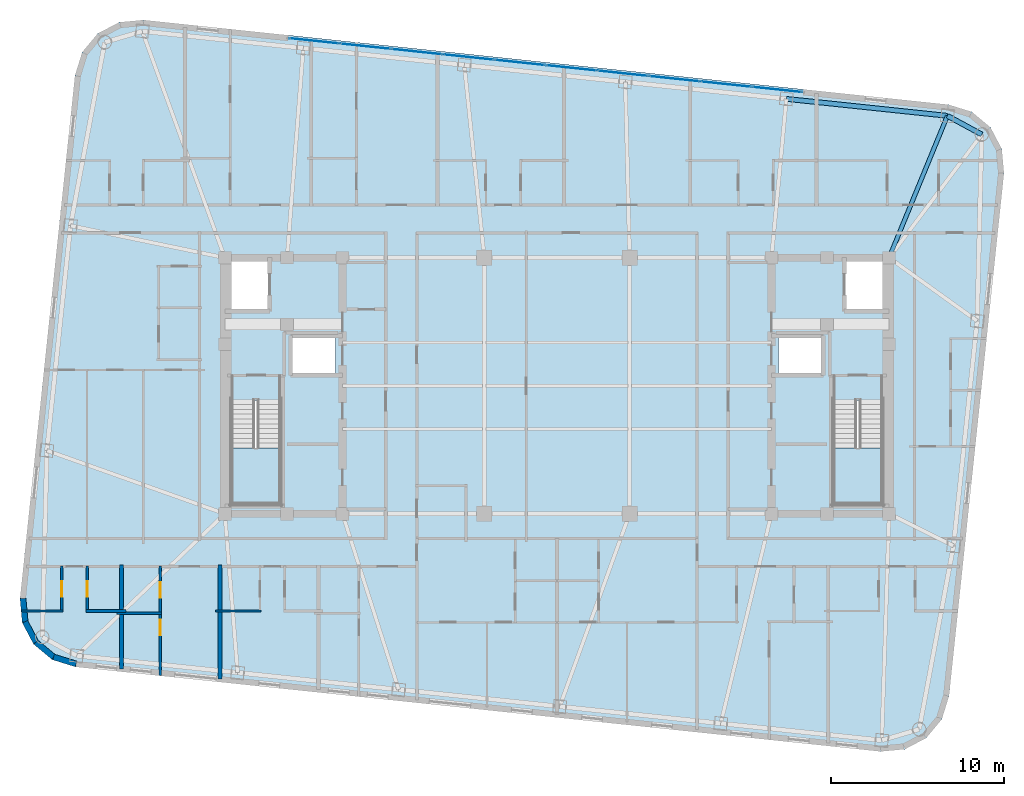
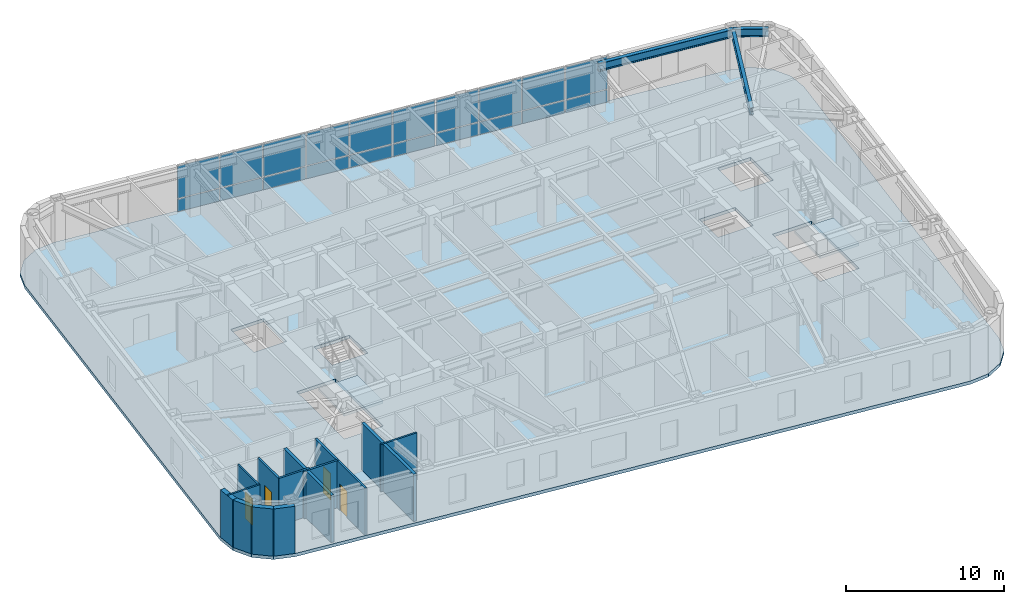
# One storey, part 7 of 15: 20 plates, 14 walls, 4 doors, 3 beams, 3 slabs, 4 openings, 3 elements without a shape of their own.
"""IFC4 building model written with IfcOpenShell, lengths in metres."""

from ifc_helpers import new_model, si_unit, direction, frame, frame_2d, origin, origin_2d, place, context, subcontext, project, spatial, polyline, rectangle, i_section, outline, extrude, material, layer, layer_set, material_profile, profile_set, type_object, element, fill, aggregate, save


model = new_model("IFC4")

# Units and contexts
model_context = context("Model", 3, precision=1e-05, world=origin(), true_north=direction((0.0, 1.0)))
body_context = subcontext(model_context, "Body", "Model", "MODEL_VIEW")
ifc_project = project(units=[si_unit("LENGTHUNIT", "METRE"), si_unit("AREAUNIT", "SQUARE_METRE"), si_unit("VOLUMEUNIT", "CUBIC_METRE"), si_unit("PLANEANGLEUNIT", "RADIAN"), si_unit("MASSUNIT", "GRAM", prefix="KILO")], contexts=[model_context])

# Site, building, storey
site_placement = place(None, origin())
site = spatial("IfcSite", under=ifc_project, at=site_placement, CompositionType="ELEMENT")
building_placement = place(site_placement, origin())
building = spatial("IfcBuilding", under=site, at=building_placement, Name="Voryun Gate Residences", CompositionType="ELEMENT")
storey_placement = place(building_placement, frame((0.0, 0.0, 263.89990234375)))
storey = spatial("IfcBuildingStorey", under=building, at=storey_placement, Name="L65", CompositionType="ELEMENT", Elevation=263.89990234375)

# Beams
ifc_material_1 = material(Name="Steel SM355", Category="steel")
ifc_material_profile_1 = material_profile(ifc_material_1, i_section(OverallWidth=0.280029296875, OverallDepth=0.6201171875, WebThickness=0.013916015625, FlangeThickness=0.02197265625, FilletRadius=0.01806640625, at=origin_2d()), Name="H-620x280x14x22")
ifc_profile_set_1 = profile_set([ifc_material_profile_1], Name="Steel SM355")
beam_type_1 = type_object("IfcBeamType", Name="BM_EXO_SPANDREL_H", PredefinedType="SPANDREL", material=ifc_profile_set_1)
beam_1_placement = place(storey_placement, frame((24.55322265625, 14.52734375, 3.340087890625), z_axis=(-0.878844363117, 0.477108567746, 0.0), x_axis=(-0.477108567746, -0.878844363117, 0.0)))
element("IfcBeam", 1, at=beam_1_placement, inside=storey, type_object=beam_type_1, Name="BM-L65-SPAND-10", PredefinedType="SPANDREL", context=body_context, shape_type="SweptSolid", body=[
    extrude(i_section(OverallWidth=0.280029296875, OverallDepth=0.6201171875, WebThickness=0.013916015625, FlangeThickness=0.02197265625, FilletRadius=0.01806640625, at=origin_2d()), origin(), (0.0, 0.0, 1.0), 2.257568359375),
])
beam_2_placement = place(storey_placement, frame((22.569091796875, 15.6044921875, 3.340087890625), z_axis=(-0.994520592114, 0.104540862157, 0.0), x_axis=(-0.104540862157, -0.994520592114, 0.0)))
element("IfcBeam", 2, at=beam_2_placement, inside=storey, type_object=beam_type_1, Name="BM-L65-SPAND-11", PredefinedType="SPANDREL", context=body_context, shape_type="SweptSolid", body=[
    extrude(i_section(OverallWidth=0.280029296875, OverallDepth=0.6201171875, WebThickness=0.013916015625, FlangeThickness=0.02197265625, FilletRadius=0.01806640625, at=origin_2d()), origin(), (0.0, 0.0, 1.0), 9.360107421875),
])
ifc_material_2 = material(Name="Steel SM355", Category="steel")
ifc_material_profile_2 = material_profile(ifc_material_2, i_section(OverallWidth=0.239990234375, OverallDepth=0.550048828125, WebThickness=0.011962890625, FlangeThickness=0.02001953125, FilletRadius=0.01806640625, at=origin_2d()), Name="H-550x240x12x20")
ifc_profile_set_2 = profile_set([ifc_material_profile_2], Name="Steel SM355")
beam_type_2 = type_object("IfcBeamType", Name="BM_GIRD_550", PredefinedType="USERDEFINED", material=ifc_profile_set_2)
beam_3_placement = place(storey_placement, frame((19.199951171875, 7.39990234375, 3.375), z_axis=(0.379860811741, 0.925043655026, 0.0), x_axis=(-0.925043655026, 0.379860811741, 0.0)))
element("IfcBeam", 3, at=beam_3_placement, inside=storey, type_object=beam_type_2, Name="BM-L65-RAD-N1", ObjectType="GIRDER", PredefinedType="USERDEFINED", context=body_context, shape_type="SweptSolid", body=[
    extrude(i_section(OverallWidth=0.239990234375, OverallDepth=0.550048828125, WebThickness=0.011962890625, FlangeThickness=0.02001953125, FilletRadius=0.01806640625, at=origin_2d()), origin(), (0.0, 0.0, 1.0), 8.869384765625),
])

# Curtain wall, plates
ifc_material_3 = material(Name="Anodised aluminium", Category="aluminium")
ifc_layer_1 = layer(ifc_material_3, 0.2099609375, Name="CW_SYS_SKYGARDEN_DARK_GLASS")
ifc_layer_set_1 = layer_set([ifc_layer_1], Name="Anodised aluminium")
curtain_wall_type = type_object("IfcCurtainWallType", Name="CW_SYS_SKYGARDEN_DARK_GLASS", PredefinedType="NOTDEFINED", material=ifc_layer_set_1)
curtain_wall_placement = place(storey_placement, origin())
curtain_wall = element("IfcCurtainWall", 4, at=curtain_wall_placement, inside=storey, type_object=curtain_wall_type, Name="Curtain wall CW5-L65-SG-11", PredefinedType="NOTDEFINED")
ifc_material_4 = material(Name="Laminated low-E glass", Category="glass")
ifc_layer_2 = layer(ifc_material_4, 0.0458984375, Name="PLT_GLASS_DARK_SKY")
ifc_layer_set_2 = layer_set([ifc_layer_2], Name="Laminated low-E glass")
plate_type = type_object("IfcPlateType", Name="PLT_GLASS_DARK_SKY", PredefinedType="CURTAIN_PANEL", material=ifc_layer_set_2)
plate_1_placement = place(storey_placement, frame((-14.03271484375, 19.934326171875, 0.06005859375), z_axis=(0.0, 0.0, 1.0), x_axis=(0.994521496699, -0.104532256285, 0.0)))
plate_1 = element("IfcPlate", 5, at=plate_1_placement, type_object=plate_type, Name="CW5 panel 1.1", PredefinedType="CURTAIN_PANEL", context=body_context, shape_type="SweptSolid", body=[
    extrude(rectangle(XDim=2.903076171875, YDim=0.028076171875, at=origin_2d()), origin(), (0.0, 0.0, 1.0), 0.9599609375),
])
plate_2_placement = place(storey_placement, frame((-14.03271484375, 19.934326171875, 1.080078125), z_axis=(0.0, 0.0, 1.0), x_axis=(0.994521496699, -0.104532256285, 0.0)))
plate_2 = element("IfcPlate", 6, at=plate_2_placement, type_object=plate_type, Name="CW5 panel 1.2", PredefinedType="CURTAIN_PANEL", context=body_context, shape_type="SweptSolid", body=[
    extrude(rectangle(XDim=2.903076171875, YDim=0.028076171875, at=origin_2d()), origin(), (0.0, 0.0, 1.0), 2.510009765625),
])
plate_3_placement = place(storey_placement, frame((-11.071044921875, 19.623046875, 0.06005859375), z_axis=(0.0, 0.0, 1.0), x_axis=(0.994521496699, -0.104532256285, 0.0)))
plate_3 = element("IfcPlate", 7, at=plate_3_placement, type_object=plate_type, Name="CW5 panel 2.1", PredefinedType="CURTAIN_PANEL", context=body_context, shape_type="SweptSolid", body=[
    extrude(rectangle(XDim=2.93310546875, YDim=0.028076171875, at=origin_2d()), origin(), (0.0, 0.0, 1.0), 0.9599609375),
])
plate_4_placement = place(storey_placement, frame((-11.071044921875, 19.623046875, 1.080078125), z_axis=(0.0, 0.0, 1.0), x_axis=(0.994521496699, -0.104532256285, 0.0)))
plate_4 = element("IfcPlate", 8, at=plate_4_placement, type_object=plate_type, Name="CW5 panel 2.2", PredefinedType="CURTAIN_PANEL", context=body_context, shape_type="SweptSolid", body=[
    extrude(rectangle(XDim=2.93310546875, YDim=0.028076171875, at=origin_2d()), origin(), (0.0, 0.0, 1.0), 2.510009765625),
])
plate_5_placement = place(storey_placement, frame((-8.09423828125, 19.31005859375, 0.06005859375), z_axis=(0.0, 0.0, 1.0), x_axis=(0.994521496699, -0.104532256285, 0.0)))
plate_5 = element("IfcPlate", 9, at=plate_5_placement, type_object=plate_type, Name="CW5 panel 3.1", PredefinedType="CURTAIN_PANEL", context=body_context, shape_type="SweptSolid", body=[
    extrude(rectangle(XDim=2.93310546875, YDim=0.028076171875, at=origin_2d()), origin(), (0.0, 0.0, 1.0), 0.9599609375),
])
plate_6_placement = place(storey_placement, frame((-8.09423828125, 19.31005859375, 1.080078125), z_axis=(0.0, 0.0, 1.0), x_axis=(0.994521496699, -0.104532256285, 0.0)))
plate_6 = element("IfcPlate", 10, at=plate_6_placement, type_object=plate_type, Name="CW5 panel 3.2", PredefinedType="CURTAIN_PANEL", context=body_context, shape_type="SweptSolid", body=[
    extrude(rectangle(XDim=2.93310546875, YDim=0.028076171875, at=origin_2d()), origin(), (0.0, 0.0, 1.0), 2.510009765625),
])
plate_7_placement = place(storey_placement, frame((-5.11767578125, 18.997314453125, 0.06005859375), z_axis=(0.0, 0.0, 1.0), x_axis=(0.994521496699, -0.104532256285, 0.0)))
plate_7 = element("IfcPlate", 11, at=plate_7_placement, type_object=plate_type, Name="CW5 panel 4.1", PredefinedType="CURTAIN_PANEL", context=body_context, shape_type="SweptSolid", body=[
    extrude(rectangle(XDim=2.93310546875, YDim=0.028076171875, at=origin_2d()), origin(), (0.0, 0.0, 1.0), 0.9599609375),
])
plate_8_placement = place(storey_placement, frame((-5.11767578125, 18.997314453125, 1.080078125), z_axis=(0.0, 0.0, 1.0), x_axis=(0.994521496699, -0.104532256285, 0.0)))
plate_8 = element("IfcPlate", 12, at=plate_8_placement, type_object=plate_type, Name="CW5 panel 4.2", PredefinedType="CURTAIN_PANEL", context=body_context, shape_type="SweptSolid", body=[
    extrude(rectangle(XDim=2.93310546875, YDim=0.028076171875, at=origin_2d()), origin(), (0.0, 0.0, 1.0), 2.510009765625),
])
plate_9_placement = place(storey_placement, frame((-2.140869140625, 18.684326171875, 0.06005859375), z_axis=(0.0, 0.0, 1.0), x_axis=(0.994521496699, -0.104532256285, 0.0)))
plate_9 = element("IfcPlate", 13, at=plate_9_placement, type_object=plate_type, Name="CW5 panel 5.1", PredefinedType="CURTAIN_PANEL", context=body_context, shape_type="SweptSolid", body=[
    extrude(rectangle(XDim=2.93310546875, YDim=0.028076171875, at=origin_2d()), origin(), (0.0, 0.0, 1.0), 0.9599609375),
])
plate_10_placement = place(storey_placement, frame((-2.140869140625, 18.684326171875, 1.080078125), z_axis=(0.0, 0.0, 1.0), x_axis=(0.994521496699, -0.104532256285, 0.0)))
plate_10 = element("IfcPlate", 14, at=plate_10_placement, type_object=plate_type, Name="CW5 panel 5.2", PredefinedType="CURTAIN_PANEL", context=body_context, shape_type="SweptSolid", body=[
    extrude(rectangle(XDim=2.93310546875, YDim=0.028076171875, at=origin_2d()), origin(), (0.0, 0.0, 1.0), 2.510009765625),
])
plate_11_placement = place(storey_placement, frame((0.835693359375, 18.37158203125, 0.06005859375), z_axis=(0.0, 0.0, 1.0), x_axis=(0.994521496699, -0.104532256285, 0.0)))
plate_11 = element("IfcPlate", 15, at=plate_11_placement, type_object=plate_type, Name="CW5 panel 6.1", PredefinedType="CURTAIN_PANEL", context=body_context, shape_type="SweptSolid", body=[
    extrude(rectangle(XDim=2.93310546875, YDim=0.028076171875, at=origin_2d()), origin(), (0.0, 0.0, 1.0), 0.9599609375),
])
plate_12_placement = place(storey_placement, frame((0.835693359375, 18.37158203125, 1.080078125), z_axis=(0.0, 0.0, 1.0), x_axis=(0.994521496699, -0.104532256285, 0.0)))
plate_12 = element("IfcPlate", 16, at=plate_12_placement, type_object=plate_type, Name="CW5 panel 6.2", PredefinedType="CURTAIN_PANEL", context=body_context, shape_type="SweptSolid", body=[
    extrude(rectangle(XDim=2.93310546875, YDim=0.028076171875, at=origin_2d()), origin(), (0.0, 0.0, 1.0), 2.510009765625),
])
plate_13_placement = place(storey_placement, frame((3.812255859375, 18.05859375, 0.06005859375), z_axis=(0.0, 0.0, 1.0), x_axis=(0.994521496699, -0.104532256285, 0.0)))
plate_13 = element("IfcPlate", 17, at=plate_13_placement, type_object=plate_type, Name="CW5 panel 7.1", PredefinedType="CURTAIN_PANEL", context=body_context, shape_type="SweptSolid", body=[
    extrude(rectangle(XDim=2.93310546875, YDim=0.028076171875, at=origin_2d()), origin(), (0.0, 0.0, 1.0), 0.9599609375),
])
plate_14_placement = place(storey_placement, frame((3.812255859375, 18.05859375, 1.080078125), z_axis=(0.0, 0.0, 1.0), x_axis=(0.994521496699, -0.104532256285, 0.0)))
plate_14 = element("IfcPlate", 18, at=plate_14_placement, type_object=plate_type, Name="CW5 panel 7.2", PredefinedType="CURTAIN_PANEL", context=body_context, shape_type="SweptSolid", body=[
    extrude(rectangle(XDim=2.93310546875, YDim=0.028076171875, at=origin_2d()), origin(), (0.0, 0.0, 1.0), 2.510009765625),
])
plate_15_placement = place(storey_placement, frame((6.7890625, 17.745849609375, 0.06005859375), z_axis=(0.0, 0.0, 1.0), x_axis=(0.994521496699, -0.104532256285, 0.0)))
plate_15 = element("IfcPlate", 19, at=plate_15_placement, type_object=plate_type, Name="CW5 panel 8.1", PredefinedType="CURTAIN_PANEL", context=body_context, shape_type="SweptSolid", body=[
    extrude(rectangle(XDim=2.93310546875, YDim=0.028076171875, at=origin_2d()), origin(), (0.0, 0.0, 1.0), 0.9599609375),
])
plate_16_placement = place(storey_placement, frame((6.7890625, 17.745849609375, 1.080078125), z_axis=(0.0, 0.0, 1.0), x_axis=(0.994521496699, -0.104532256285, 0.0)))
plate_16 = element("IfcPlate", 20, at=plate_16_placement, type_object=plate_type, Name="CW5 panel 8.2", PredefinedType="CURTAIN_PANEL", context=body_context, shape_type="SweptSolid", body=[
    extrude(rectangle(XDim=2.93310546875, YDim=0.028076171875, at=origin_2d()), origin(), (0.0, 0.0, 1.0), 2.510009765625),
])
plate_17_placement = place(storey_placement, frame((9.765625, 17.432861328125, 0.06005859375), z_axis=(0.0, 0.0, 1.0), x_axis=(0.994521496699, -0.104532256285, 0.0)))
plate_17 = element("IfcPlate", 21, at=plate_17_placement, type_object=plate_type, Name="CW5 panel 9.1", PredefinedType="CURTAIN_PANEL", context=body_context, shape_type="SweptSolid", body=[
    extrude(rectangle(XDim=2.93310546875, YDim=0.028076171875, at=origin_2d()), origin(), (0.0, 0.0, 1.0), 0.9599609375),
])
plate_18_placement = place(storey_placement, frame((9.765625, 17.432861328125, 1.080078125), z_axis=(0.0, 0.0, 1.0), x_axis=(0.994521496699, -0.104532256285, 0.0)))
plate_18 = element("IfcPlate", 22, at=plate_18_placement, type_object=plate_type, Name="CW5 panel 9.2", PredefinedType="CURTAIN_PANEL", context=body_context, shape_type="SweptSolid", body=[
    extrude(rectangle(XDim=2.93310546875, YDim=0.028076171875, at=origin_2d()), origin(), (0.0, 0.0, 1.0), 2.510009765625),
])
plate_19_placement = place(storey_placement, frame((12.727294921875, 17.12158203125, 0.06005859375), z_axis=(0.0, 0.0, 1.0), x_axis=(0.994521496699, -0.104532256285, 0.0)))
plate_19 = element("IfcPlate", 23, at=plate_19_placement, type_object=plate_type, Name="CW5 panel 10.1", PredefinedType="CURTAIN_PANEL", context=body_context, shape_type="SweptSolid", body=[
    extrude(rectangle(XDim=2.903076171875, YDim=0.028076171875, at=origin_2d()), origin(), (0.0, 0.0, 1.0), 0.9599609375),
])
plate_20_placement = place(storey_placement, frame((12.727294921875, 17.12158203125, 1.080078125), z_axis=(0.0, 0.0, 1.0), x_axis=(0.994521496699, -0.104532256285, 0.0)))
plate_20 = element("IfcPlate", 24, at=plate_20_placement, type_object=plate_type, Name="CW5 panel 10.2", PredefinedType="CURTAIN_PANEL", context=body_context, shape_type="SweptSolid", body=[
    extrude(rectangle(XDim=2.903076171875, YDim=0.028076171875, at=origin_2d()), origin(), (0.0, 0.0, 1.0), 2.510009765625),
])
aggregate(curtain_wall, [plate_1, plate_2, plate_3, plate_4, plate_5, plate_6, plate_7, plate_8, plate_9, plate_10, plate_11, plate_12, plate_13, plate_14, plate_15, plate_16, plate_17, plate_18, plate_19, plate_20])

# Slab
ifc_material_5 = material(Name="Concrete C40/50", Category="concrete")
ifc_layer_3 = layer(ifc_material_5, 0.25, Name="SLB_RES_250")
ifc_layer_set_3 = layer_set([ifc_layer_3], Name="Concrete C40/50")
slab_type_1 = type_object("IfcSlabType", Name="SLB_RES_250", PredefinedType="FLOOR", material=ifc_layer_set_3)
slab_1_placement = place(storey_placement, frame((0.0, 0.0, -0.25)))
element("IfcSlab", 25, at=slab_1_placement, inside=storey, type_object=slab_type_1, Name="L65 Structural Floor Slab", PredefinedType="FLOOR", context=body_context, shape_type="SweptSolid", body=[
    extrude(outline(polyline([(-27.8369140625, -16.2509765625), (-29.178466796875, -15.83447265625), (-30.25830078125, -14.936279296875), (-30.912353515625, -13.693115234375), (-31.041015625, -12.29443359375), (-27.86328125, 17.93896484375), (-27.44677734375, 19.280517578125), (-26.548583984375, 20.3603515625), (-25.305419921875, 21.014404296875), (-23.90673828125, 21.14306640625), (22.636962890625, 16.2509765625), (23.978515625, 15.83447265625), (25.058349609375, 14.936279296875), (25.71240234375, 13.693115234375), (25.8408203125, 12.29443359375), (22.663330078125, -17.93896484375), (22.246826171875, -19.280517578125), (21.3486328125, -20.3603515625), (20.10546875, -21.014404296875), (18.706787109375, -21.14306640625), (-27.8369140625, -16.2509765625)]), holes=[polyline([(-15.97509765625, -0.840087890625), (-18.824951171875, -0.840087890625), (-18.824951171875, -6.85009765625), (-15.97509765625, -6.85009765625), (-15.97509765625, -0.840087890625)]), polyline([(18.824951171875, -6.85009765625), (18.824951171875, -0.840087890625), (15.97509765625, -0.840087890625), (15.97509765625, -6.85009765625), (18.824951171875, -6.85009765625)]), polyline([(-12.800048828125, 2.89990234375), (-15.39990234375, 2.89990234375), (-15.39990234375, 0.60009765625), (-12.800048828125, 0.60009765625), (-12.800048828125, 2.89990234375)]), polyline([(12.800048828125, 2.89990234375), (12.800048828125, 0.60009765625), (15.39990234375, 0.60009765625), (15.39990234375, 2.89990234375), (12.800048828125, 2.89990234375)]), polyline([(-16.60009765625, 7.199951171875), (-19.0, 7.199951171875), (-19.0, 4.300048828125), (-16.60009765625, 4.300048828125), (-16.60009765625, 7.199951171875)]), polyline([(19.0, 7.199951171875), (16.60009765625, 7.199951171875), (16.60009765625, 4.300048828125), (19.0, 4.300048828125), (19.0, 7.199951171875)])]), origin(), (0.0, 0.0, 1.0), 0.25),
])

# Stair, slab
ifc_material_6 = material(Name="Concrete C40/50", Category="concrete")
stair_type = type_object("IfcStairType", Name="STR_CORE_DOGLEG_1350", PredefinedType="HALF_TURN_STAIR", material=ifc_material_6)
stair_1_placement = place(storey_placement, origin())
stair_1 = element("IfcStair", 26, at=stair_1_placement, inside=storey, type_object=stair_type, Name="L65 Special Escape Stair ST-W1", PredefinedType="HALF_TURN_STAIR")
ifc_material_7 = material(Name="Concrete C40/50", Category="concrete")
ifc_layer_4 = layer(ifc_material_7, 0.199951171875, Name="SLB_STAIR_LANDING_200")
ifc_layer_set_4 = layer_set([ifc_layer_4], Name="Concrete C40/50")
slab_type_2 = type_object("IfcSlabType", Name="SLB_STAIR_LANDING_200", PredefinedType="LANDING", material=ifc_layer_set_4)
slab_2_placement = place(storey_placement, frame((0.0, 0.0, 1.75)))
slab_2 = element("IfcSlab", 27, at=slab_2_placement, type_object=slab_type_2, Name="ST-W1 landing 1", PredefinedType="LANDING", context=body_context, shape_type="SweptSolid", body=[
    extrude(outline(polyline([(-18.824951171875, -3.60009765625), (-18.824951171875, -6.85009765625), (-15.97509765625, -6.85009765625), (-15.97509765625, -3.60009765625), (-18.824951171875, -3.60009765625)])), origin(), (0.0, 0.0, 1.0), 0.2001953125),
])
aggregate(stair_1, [slab_2])

stair_2_placement = place(storey_placement, origin())
stair_2 = element("IfcStair", 28, at=stair_2_placement, inside=storey, type_object=stair_type, Name="L65 Special Escape Stair ST-E1", PredefinedType="HALF_TURN_STAIR")
slab_3_placement = place(storey_placement, frame((0.0, 0.0, 1.75)))
slab_3 = element("IfcSlab", 29, at=slab_3_placement, type_object=slab_type_2, Name="ST-E1 landing 1", PredefinedType="LANDING", context=body_context, shape_type="SweptSolid", body=[
    extrude(outline(polyline([(15.97509765625, -3.60009765625), (15.97509765625, -6.85009765625), (18.824951171875, -6.85009765625), (18.824951171875, -3.60009765625), (15.97509765625, -3.60009765625)])), origin(), (0.0, 0.0, 1.0), 0.2001953125),
])
aggregate(stair_2, [slab_3])

# Walls
ifc_material_8 = material(Name="Charcoal terracotta masonry", Category="masonry")
ifc_layer_5 = layer(ifc_material_8, 0.340087890625, Name="W_EXT_TERRACOTTA_340")
ifc_layer_set_5 = layer_set([ifc_layer_5], Name="Charcoal terracotta masonry")
wall_type_1 = type_object("IfcWallType", Name="W_EXT_TERRACOTTA_340", PredefinedType="ELEMENTEDWALL", material=ifc_layer_set_5)
wall_1_placement = place(storey_placement, frame((-27.802490234375, -16.083740234375, 0.0), z_axis=(0.0, 0.0, 1.0), x_axis=(-0.955007802701, 0.296580674994, 0.0)))
element("IfcWall", 30, at=wall_1_placement, inside=storey, type_object=wall_type_1, Name="Exterior wall WEXT-L65-02", PredefinedType="ELEMENTEDWALL", context=body_context, shape_type="SweptSolid", body=[
    extrude(rectangle(XDim=1.354248046875, YDim=0.340087890625, at=frame_2d((0.67724609375, 0.0))), origin(), (0.0, 0.0, 1.0), 3.650146484375),
])
wall_2_placement = place(storey_placement, frame((-29.095703125, -15.68212890625, 0.0), z_axis=(0.0, 0.0, 1.0), x_axis=(-0.768864427906, 0.639411832469, 0.0)))
element("IfcWall", 31, at=wall_2_placement, inside=storey, type_object=wall_type_1, Name="Exterior wall WEXT-L65-03", PredefinedType="ELEMENTEDWALL", context=body_context, shape_type="SweptSolid", body=[
    extrude(rectangle(XDim=1.337158203125, YDim=0.340087890625, at=frame_2d((0.66845703125, 0.0))), origin(), (0.0, 0.0, 1.0), 3.650146484375),
])
wall_3_placement = place(storey_placement, frame((-30.123779296875, -14.8271484375, 0.0), z_axis=(0.0, 0.0, 1.0), x_axis=(-0.465528132217, 0.885033083062, 0.0)))
element("IfcWall", 32, at=wall_3_placement, inside=storey, type_object=wall_type_1, Name="Exterior wall WEXT-L65-04", PredefinedType="ELEMENTEDWALL", context=body_context, shape_type="SweptSolid", body=[
    extrude(rectangle(XDim=1.3369140625, YDim=0.340087890625, at=frame_2d((0.66845703125, 0.0))), origin(), (0.0, 0.0, 1.0), 3.650146484375),
])
wall_4_placement = place(storey_placement, frame((-30.74609375, -13.64404296875, 0.0), z_axis=(0.0, 0.0, 1.0), x_axis=(-0.091592370975, 0.995796584438, 0.0)))
element("IfcWall", 33, at=wall_4_placement, inside=storey, type_object=wall_type_1, Name="Exterior wall WEXT-L65-05", PredefinedType="ELEMENTEDWALL", context=body_context, shape_type="SweptSolid", body=[
    extrude(rectangle(XDim=1.35400390625, YDim=0.340087890625, at=frame_2d((0.677001953125, 0.0))), origin(), (0.0, 0.0, 1.0), 3.650146484375),
])
ifc_material_9 = material(Name="Concrete C40/50", Category="concrete")
ifc_layer_6 = layer(ifc_material_9, 0.219970703125, Name="W_PARTY_ACOUSTIC_220")
ifc_layer_set_6 = layer_set([ifc_layer_6], Name="Concrete C40/50")
wall_type_2 = type_object("IfcWallType", Name="W_PARTY_ACOUSTIC_220", PredefinedType="PARTITIONING", material=ifc_layer_set_6)
wall_5_placement = place(storey_placement, frame((-25.177978515625, -16.359619140625, 0.0), z_axis=(0.0, 0.0, 1.0), x_axis=(0.0, 1.0, 0.0)))
element("IfcWall", 34, at=wall_5_placement, inside=storey, type_object=wall_type_2, Name="Partition wall WP-L65-SPTY-1", PredefinedType="PARTITIONING", context=body_context, shape_type="SweptSolid", body=[
    extrude(rectangle(XDim=5.989501953125, YDim=0.219970703125, at=frame_2d((2.99462890625, 0.0))), origin(), (0.0, 0.0, 1.0), 3.650146484375),
])
wall_6_placement = place(storey_placement, frame((-19.47802734375, -16.958740234375, 0.0), z_axis=(0.0, 0.0, 1.0), x_axis=(0.0, 1.0, 0.0)))
element("IfcWall", 35, at=wall_6_placement, inside=storey, type_object=wall_type_2, Name="Partition wall WP-L65-SPTY-2", PredefinedType="PARTITIONING", context=body_context, shape_type="SweptSolid", body=[
    extrude(rectangle(XDim=6.588623046875, YDim=0.219970703125, at=frame_2d((3.29443359375, 0.0))), origin(), (0.0, 0.0, 1.0), 3.650146484375),
])

# Wall, opening, door
ifc_material_10 = material(Name="Gypsum acoustic partition")
ifc_layer_7 = layer(ifc_material_10, 0.125, Name="W_UNIT_PART_125")
ifc_layer_set_7 = layer_set([ifc_layer_7], Name="Gypsum acoustic partition")
wall_type_3 = type_object("IfcWallType", Name="W_UNIT_PART_125", PredefinedType="PARTITIONING", material=ifc_layer_set_7)
wall_7_placement = place(storey_placement, frame((-28.626953125, -13.080078125, 0.0), z_axis=(0.0, 0.0, 1.0), x_axis=(0.0, 1.0, 0.0)))
wall_7 = element("IfcWall", 36, at=wall_7_placement, inside=storey, type_object=wall_type_3, Name="Partition wall WP-L65-S1-CVK", PredefinedType="PARTITIONING", context=body_context, shape_type="SweptSolid", body=[
    extrude(rectangle(XDim=2.650146484375, YDim=0.125, at=frame_2d((1.3251953125, 0.0))), origin(), (0.0, 0.0, 1.0), 3.650146484375),
])
opening_1_placement = place(wall_7_placement, frame((0.875, 0.0, 0.0)))
opening_1 = element("IfcOpeningElement", 37, at=opening_1_placement, cuts=wall_7, Name="Opening D-INT-2", PredefinedType="OPENING", context=body_context, shape_type="SweptSolid", body=[
    extrude(rectangle(XDim=0.89990234375, YDim=2.050048828125, at=frame_2d((0.449951171875, 1.02490234375))), frame((0.0, 0.072509765625, 0.0), z_axis=(0.0, -1.0, 0.0), x_axis=(1.0, 0.0, 0.0)), (0.0, 0.0, 1.0), 0.14501953125),
])
ifc_material_11 = material(Name="Architectural oak veneer")
door_type = type_object("IfcDoorType", Name="DR_INT_BATH_900", OperationType="NOTDEFINED", PredefinedType="DOOR", material=ifc_material_11)
door_1_placement = place(opening_1_placement, origin())
door_1 = element("IfcDoor", 38, at=door_1_placement, inside=storey, type_object=door_type, Name="Door DR-L65-S1-DK", OperationType="SINGLE_SWING_LEFT", OverallHeight=2.050048828125, OverallWidth=0.89990234375, PredefinedType="DOOR", context=body_context, shape_type="SweptSolid", body=[
    extrude(rectangle(XDim=0.89990234375, YDim=2.050048828125, at=frame_2d((0.449951171875, 1.02490234375))), frame((0.0, 0.02490234375, 0.0), z_axis=(0.0, -1.0, 0.0), x_axis=(1.0, 0.0, 0.0)), (0.0, 0.0, 1.0), 0.050048828125),
])
fill(opening_1, door_1)

# Walls
wall_8_placement = place(storey_placement, frame((-30.9541015625, -13.02001953125, 0.0), z_axis=(0.0, 0.0, 1.0), x_axis=(1.0, 0.0, 0.0)))
element("IfcWall", 39, at=wall_8_placement, inside=storey, type_object=wall_type_3, Name="Partition wall WP-L65-S1-CHK", PredefinedType="PARTITIONING", context=body_context, shape_type="SweptSolid", body=[
    extrude(rectangle(XDim=2.38720703125, YDim=0.125, at=frame_2d((1.193603515625, 0.0))), origin(), (0.0, 0.0, 1.0), 3.650146484375),
])
wall_9_placement = place(storey_placement, frame((-19.738037109375, -13.02001953125, 0.0), z_axis=(0.0, 0.0, 1.0), x_axis=(1.0, 0.0, 0.0)))
element("IfcWall", 40, at=wall_9_placement, inside=storey, type_object=wall_type_3, Name="Partition wall WP-L65-S3-CHK", PredefinedType="PARTITIONING", context=body_context, shape_type="SweptSolid", body=[
    extrude(rectangle(XDim=2.630126953125, YDim=0.125, at=frame_2d((1.31494140625, 0.0))), origin(), (0.0, 0.0, 1.0), 3.650146484375),
])

# Wall, opening, door
ifc_material_12 = material(Name="Gypsum moisture-resistant partition")
ifc_layer_8 = layer(ifc_material_12, 0.14990234375, Name="W_WET_PLUMB_150")
ifc_layer_set_8 = layer_set([ifc_layer_8], Name="Gypsum moisture-resistant partition")
wall_type_4 = type_object("IfcWallType", Name="W_WET_PLUMB_150", PredefinedType="PLUMBINGWALL", material=ifc_layer_set_8)
wall_10_placement = place(storey_placement, frame((-27.155029296875, -13.080078125, 0.0), z_axis=(0.0, 0.0, 1.0), x_axis=(0.0, 1.0, 0.0)))
wall_10 = element("IfcWall", 41, at=wall_10_placement, inside=storey, type_object=wall_type_4, Name="Partition wall WP-L65-S1-CVB", PredefinedType="PLUMBINGWALL", context=body_context, shape_type="SweptSolid", body=[
    extrude(rectangle(XDim=2.650146484375, YDim=0.14990234375, at=frame_2d((1.3251953125, 0.0))), origin(), (0.0, 0.0, 1.0), 3.650146484375),
])
opening_2_placement = place(wall_10_placement, frame((0.875, 0.0, 0.0)))
opening_2 = element("IfcOpeningElement", 42, at=opening_2_placement, cuts=wall_10, Name="Opening D-INT-2", PredefinedType="OPENING", context=body_context, shape_type="SweptSolid", body=[
    extrude(rectangle(XDim=0.89990234375, YDim=2.050048828125, at=frame_2d((0.449951171875, 1.02490234375))), frame((0.0, 0.0849609375, 0.0), z_axis=(0.0, -1.0, 0.0), x_axis=(1.0, 0.0, 0.0)), (0.0, 0.0, 1.0), 0.169921875),
])
door_2_placement = place(opening_2_placement, origin())
door_2 = element("IfcDoor", 43, at=door_2_placement, inside=storey, type_object=door_type, Name="Door DR-L65-S1-DB", OperationType="SINGLE_SWING_RIGHT", OverallHeight=2.050048828125, OverallWidth=0.89990234375, PredefinedType="DOOR", context=body_context, shape_type="SweptSolid", body=[
    extrude(rectangle(XDim=0.89990234375, YDim=2.050048828125, at=frame_2d((0.449951171875, 1.02490234375))), frame((0.0, 0.02490234375, 0.0), z_axis=(0.0, -1.0, 0.0), x_axis=(1.0, 0.0, 0.0)), (0.0, 0.0, 1.0), 0.050048828125),
])
fill(opening_2, door_2)

# Walls
wall_11_placement = place(storey_placement, frame((-27.215087890625, -13.02001953125, 0.0), z_axis=(0.0, 0.0, 1.0), x_axis=(1.0, 0.0, 0.0)))
element("IfcWall", 44, at=wall_11_placement, inside=storey, type_object=wall_type_4, Name="Partition wall WP-L65-S1-CHB", PredefinedType="PLUMBINGWALL", context=body_context, shape_type="SweptSolid", body=[
    extrude(rectangle(XDim=2.297119140625, YDim=0.14990234375, at=frame_2d((1.1484375, 0.0))), origin(), (0.0, 0.0, 1.0), 3.650146484375),
])
wall_12_placement = place(storey_placement, frame((-25.43798828125, -13.14990234375, 0.0), z_axis=(0.0, 0.0, 1.0), x_axis=(1.0, 0.0, 0.0)))
element("IfcWall", 45, at=wall_12_placement, inside=storey, type_object=wall_type_4, Name="Partition wall WP-L65-S2-SKB", PredefinedType="PLUMBINGWALL", context=body_context, shape_type="SweptSolid", body=[
    extrude(rectangle(XDim=2.575927734375, YDim=0.14990234375, at=frame_2d((1.2880859375, 0.0))), origin(), (0.0, 0.0, 1.0), 3.650146484375),
])

# Wall, opening, door
wall_13_placement = place(storey_placement, frame((-22.94189453125, -16.745361328125, 0.0), z_axis=(0.0, 0.0, 1.0), x_axis=(0.0, 1.0, 0.0)))
wall_13 = element("IfcWall", 46, at=wall_13_placement, inside=storey, type_object=wall_type_4, Name="Partition wall WP-L65-S2-SVT1", PredefinedType="PLUMBINGWALL", context=body_context, shape_type="SweptSolid", body=[
    extrude(rectangle(XDim=3.63525390625, YDim=0.14990234375, at=frame_2d((1.817626953125, 0.0))), origin(), (0.0, 0.0, 1.0), 3.650146484375),
])
opening_3_placement = place(wall_13_placement, frame((2.31103515625, 0.0, 0.0)))
opening_3 = element("IfcOpeningElement", 47, at=opening_3_placement, cuts=wall_13, Name="Opening D-INT-2", PredefinedType="OPENING", context=body_context, shape_type="SweptSolid", body=[
    extrude(rectangle(XDim=0.89990234375, YDim=2.050048828125, at=frame_2d((0.449951171875, 1.02490234375))), frame((0.0, 0.0849609375, 0.0), z_axis=(0.0, -1.0, 0.0), x_axis=(1.0, 0.0, 0.0)), (0.0, 0.0, 1.0), 0.169921875),
])
door_3_placement = place(opening_3_placement, origin())
door_3 = element("IfcDoor", 48, at=door_3_placement, inside=storey, type_object=door_type, Name="Door DR-L65-S2-DK", OperationType="SINGLE_SWING_LEFT", OverallHeight=2.050048828125, OverallWidth=0.89990234375, PredefinedType="DOOR", context=body_context, shape_type="SweptSolid", body=[
    extrude(rectangle(XDim=0.89990234375, YDim=2.050048828125, at=frame_2d((0.449951171875, 1.02490234375))), frame((0.0, 0.02490234375, 0.0), z_axis=(0.0, -1.0, 0.0), x_axis=(1.0, 0.0, 0.0)), (0.0, 0.0, 1.0), 0.050048828125),
])
fill(opening_3, door_3)

wall_14_placement = place(storey_placement, frame((-22.94189453125, -13.18994140625, 0.0), z_axis=(0.0, 0.0, 1.0), x_axis=(0.0, 1.0, 0.0)))
wall_14 = element("IfcWall", 49, at=wall_14_placement, inside=storey, type_object=wall_type_4, Name="Partition wall WP-L65-S2-SVT2", PredefinedType="PLUMBINGWALL", context=body_context, shape_type="SweptSolid", body=[
    extrude(rectangle(XDim=2.760009765625, YDim=0.14990234375, at=frame_2d((1.3798828125, 0.0))), origin(), (0.0, 0.0, 1.0), 3.650146484375),
])
opening_4_placement = place(wall_14_placement, frame((0.929931640625, 0.0, 0.0)))
opening_4 = element("IfcOpeningElement", 50, at=opening_4_placement, cuts=wall_14, Name="Opening D-INT-2", PredefinedType="OPENING", context=body_context, shape_type="SweptSolid", body=[
    extrude(rectangle(XDim=0.89990234375, YDim=2.050048828125, at=frame_2d((0.449951171875, 1.02490234375))), frame((0.0, 0.0849609375, 0.0), z_axis=(0.0, -1.0, 0.0), x_axis=(1.0, 0.0, 0.0)), (0.0, 0.0, 1.0), 0.169921875),
])
door_4_placement = place(opening_4_placement, origin())
door_4 = element("IfcDoor", 51, at=door_4_placement, inside=storey, type_object=door_type, Name="Door DR-L65-S2-DB", OperationType="SINGLE_SWING_RIGHT", OverallHeight=2.050048828125, OverallWidth=0.89990234375, PredefinedType="DOOR", context=body_context, shape_type="SweptSolid", body=[
    extrude(rectangle(XDim=0.89990234375, YDim=2.050048828125, at=frame_2d((0.449951171875, 1.02490234375))), frame((0.0, 0.02490234375, 0.0), z_axis=(0.0, -1.0, 0.0), x_axis=(1.0, 0.0, 0.0)), (0.0, 0.0, 1.0), 0.050048828125),
])
fill(opening_4, door_4)

save(model, "model.ifc")
